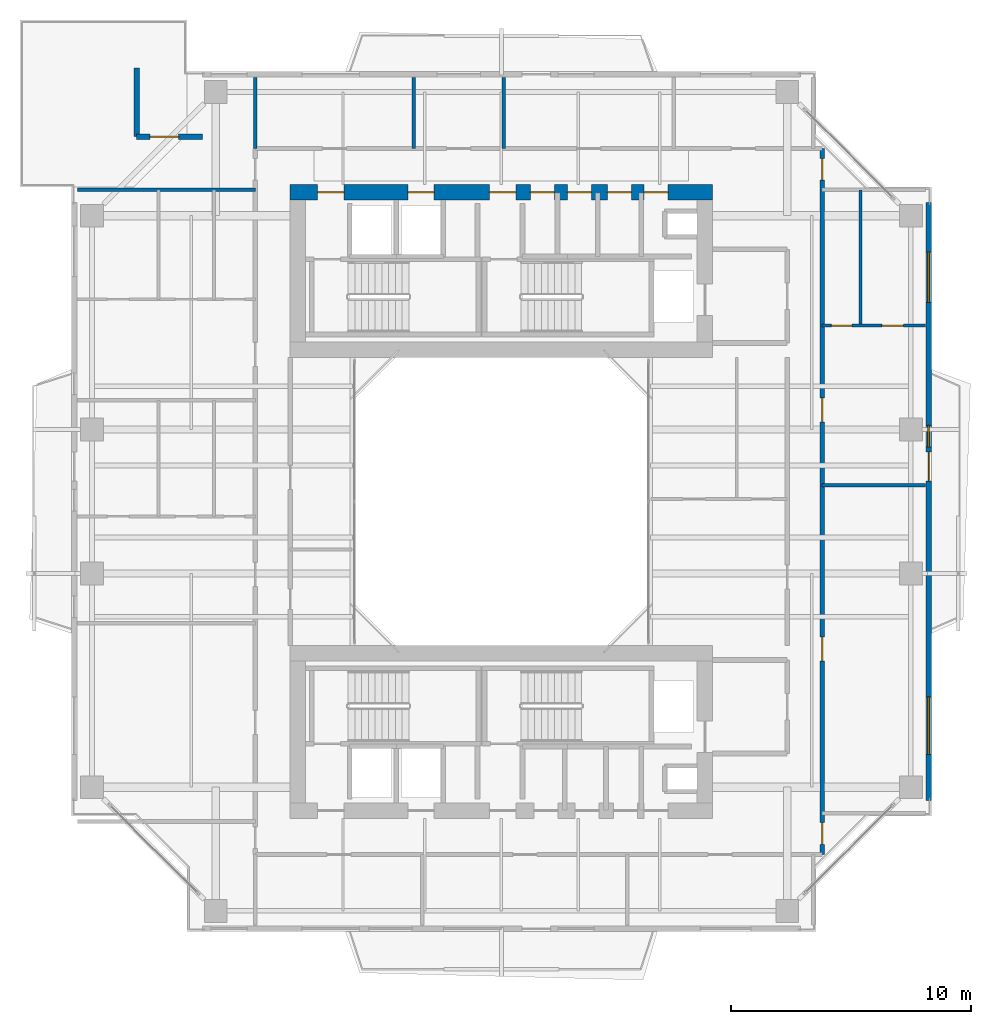
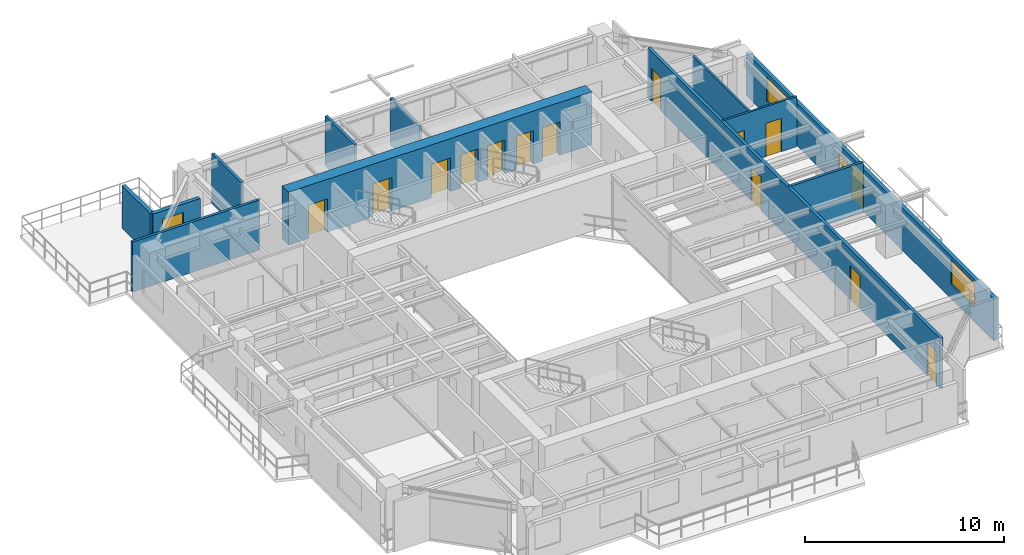
# One storey, part 13 of 17: 15 doors, 12 walls, 3 windows, 18 openings.
"""IFC4 building model written with IfcOpenShell, lengths in metres."""

import ifcopenshell
import ifcopenshell.guid

model = None  # the IFC model being written
_history = None  # IfcOwnerHistory: only IFC2X3 demands one
_inside = {}  # id of a spatial element -> (the spatial element, [elements in it])
_under = {}  # id of a project, library or spatial element -> (it, [spatial elements below it])
_declared = {}  # id of a project -> (the project, [libraries it declares])
_typed = {}  # id of a type object -> (the type object, [elements of that type])
_made_of = {}  # id of a material, layer set ... -> (it, [elements and type objects made of it])


def new_model(schema):
    """Start an empty IFC model of exactly this schema.

    Asked for "IFC4X3", IfcOpenShell would pick the latest addendum, in which some entities
    have other attributes; the version numbers below select the first issue.
    IFC2X3 requires an IfcOwnerHistory on every rooted entity: one is made here for all.
    """
    global model, _history
    if schema == "IFC4X3":
        model = ifcopenshell.file(schema_version=(4, 3, 0, 0))
    else:
        model = ifcopenshell.file(schema=schema)
    _inside.clear()
    _under.clear()
    _declared.clear()
    _typed.clear()
    _made_of.clear()
    _history = None
    if model.schema == "IFC2X3":
        org = make("IfcOrganization", Name="unknown")
        user = make(
            "IfcPersonAndOrganization",
            ThePerson=make("IfcPerson", FamilyName="unknown"),
            TheOrganization=org,
        )
        app = make(
            "IfcApplication",
            ApplicationDeveloper=org,
            Version="unknown",
            ApplicationFullName="unknown",
            ApplicationIdentifier="unknown",
        )
        _history = make(
            "IfcOwnerHistory",
            OwningUser=user,
            OwningApplication=app,
            ChangeAction="ADDED",
            CreationDate=0,
        )
    return model


def make(cls, **values):
    """One entity of the class cls with the attributes given. An attribute that is None is left unset."""
    return model.create_entity(
        cls, **{name: value for name, value in values.items() if value is not None}
    )


def rooted(cls, **values):
    """An entity with a GlobalId (a new one), such as an element, a storey or a relation."""
    return make(cls, GlobalId=ifcopenshell.guid.new(), OwnerHistory=_history, **values)


def si_unit(unit_type, name, prefix=None):
    """IfcSIUnit, for example si_unit("LENGTHUNIT", "METRE", prefix="MILLI")."""
    return make("IfcSIUnit", UnitType=unit_type, Prefix=prefix, Name=name)


def assignment(units):
    """IfcUnitAssignment: the units of a project."""
    return None if units is None else make("IfcUnitAssignment", Units=units)


def point(xyz):
    """IfcCartesianPoint."""
    return None if xyz is None else make("IfcCartesianPoint", Coordinates=xyz)


def direction(xyz):
    """IfcDirection."""
    return None if xyz is None else make("IfcDirection", DirectionRatios=xyz)


def frame(location, z_axis=None, x_axis=None):
    """IfcAxis2Placement3D, a coordinate frame: its origin and axes. An axis left out is left unset."""
    return make(
        "IfcAxis2Placement3D",
        Location=point(location),
        Axis=direction(z_axis),
        RefDirection=direction(x_axis),
    )


def frame_2d(location, x_axis=None):
    """IfcAxis2Placement2D, a coordinate frame in the plane: its origin and x axis."""
    return make(
        "IfcAxis2Placement2D", Location=point(location), RefDirection=direction(x_axis)
    )


def origin():
    """The frame at (0, 0, 0) with its axes left unset."""
    return frame((0.0, 0.0, 0.0))


def place(relative_to, where):
    """IfcLocalPlacement: puts the frame where relative to a parent placement (None: the world)."""
    return make(
        "IfcLocalPlacement", PlacementRelTo=relative_to, RelativePlacement=where
    )


def context(
    kind, dimensions, precision=None, world=None, true_north=None, identifier=None
):
    """IfcGeometricRepresentationContext, for example the 3D "Model" context."""
    return make(
        "IfcGeometricRepresentationContext",
        ContextIdentifier=identifier,
        ContextType=kind,
        CoordinateSpaceDimension=dimensions,
        Precision=precision,
        WorldCoordinateSystem=world,
        TrueNorth=true_north,
    )


def subcontext(parent, identifier, kind, view, scale=None):
    """IfcGeometricRepresentationSubContext, for example "Body" below "Model"."""
    return make(
        "IfcGeometricRepresentationSubContext",
        ContextIdentifier=identifier,
        ContextType=kind,
        ParentContext=parent,
        TargetScale=scale,
        TargetView=view,
    )


def project(units=None, contexts=None):
    """IfcProject with its units and contexts."""
    return rooted(
        "IfcProject",
        Name="project",
        RepresentationContexts=contexts,
        UnitsInContext=assignment(units),
    )


def spatial(cls, under=None, at=None, **own):
    """A site, building, storey or space (cls), placed at a placement, below another one or the project."""
    s = rooted(cls, ObjectPlacement=at, **own)
    if under is not None:
        _under.setdefault(under.id(), (under, []))[1].append(s)
    return s


def profile(cls, at=None, kind="AREA", **sizes):
    """A parametric profile (cls). Its sizes go by their IFC names, for example OverallWidth=200.0."""
    return make(cls, ProfileType=kind, Position=at, **sizes)


def rectangle(**sizes):
    """IfcRectangleProfileDef."""
    return profile("IfcRectangleProfileDef", **sizes)


def extrude(swept, where, along, depth):
    """IfcExtrudedAreaSolid: the profile swept, set in the frame where, extruded along a direction by depth."""
    return make(
        "IfcExtrudedAreaSolid",
        SweptArea=swept,
        Position=where,
        ExtrudedDirection=direction(along),
        Depth=depth,
    )


def shape(context_of_items, identifier, shape_type, items):
    """IfcShapeRepresentation: the items that make up one representation, for example the "Body"."""
    return make(
        "IfcShapeRepresentation",
        ContextOfItems=context_of_items,
        RepresentationIdentifier=identifier,
        RepresentationType=shape_type,
        Items=items,
    )


def source(mapping_origin, context_of_items, identifier, shape_type, items):
    """IfcRepresentationMap: a shape defined once, which mapped items show again and again."""
    return make(
        "IfcRepresentationMap",
        MappingOrigin=mapping_origin,
        MappedRepresentation=shape(context_of_items, identifier, shape_type, items),
    )


def transform(
    local_origin,
    x_axis=None,
    y_axis=None,
    z_axis=None,
    scale=None,
    scale2=None,
    scale3=None,
    uniform=True,
):
    """IfcCartesianTransformationOperator3D, or its non-uniform kind. x_axis, y_axis, z_axis: its Axis1, 2, 3."""
    if uniform:
        return make(
            "IfcCartesianTransformationOperator3D",
            Axis1=direction(x_axis),
            Axis2=direction(y_axis),
            LocalOrigin=point(local_origin),
            Scale=scale,
            Axis3=direction(z_axis),
        )
    return make(
        "IfcCartesianTransformationOperator3DnonUniform",
        Axis1=direction(x_axis),
        Axis2=direction(y_axis),
        LocalOrigin=point(local_origin),
        Scale=scale,
        Axis3=direction(z_axis),
        Scale2=scale2,
        Scale3=scale3,
    )


def mapped(mapping_source, mapping_target):
    """IfcMappedItem: shows the shape of a source again, moved by a transform."""
    return make(
        "IfcMappedItem", MappingSource=mapping_source, MappingTarget=mapping_target
    )


def material(Name=None, Category=None):
    """IfcMaterial."""
    return make("IfcMaterial", Name=Name, Category=Category)


def layer(
    of_material, thickness, ventilated=None, Name=None, Category=None, Priority=None
):
    """IfcMaterialLayer: one layer of a wall or slab, of a material (None: an air gap)."""
    return make(
        "IfcMaterialLayer",
        Material=of_material,
        LayerThickness=thickness,
        IsVentilated=ventilated,
        Name=Name,
        Category=Category,
        Priority=Priority,
    )


def layer_set(layers, Name=None):
    """IfcMaterialLayerSet."""
    return make("IfcMaterialLayerSet", MaterialLayers=layers, LayerSetName=Name)


def made_of(thing, what):
    """Note that an element or type object is made of a material, layer set ...; save() writes the relation."""
    if what is not None:
        _made_of.setdefault(what.id(), (what, []))[1].append(thing)
    return thing


def type_object(cls, material=None, **own):
    """A type object (cls), such as IfcWallType, which elements share."""
    return made_of(rooted(cls, **own), material)


def element(
    cls,
    number,
    at=None,
    inside=None,
    cuts=None,
    type_object=None,
    material=None,
    context=None,
    identifier="Body",
    shape_type=None,
    held_by="IfcProductDefinitionShape",
    body=None,
    shapes=None,
    **own,
):
    """One element of the class cls, such as IfcWall. Its Tag is "e" and its number.

    at: its placement. inside: the storey or other place that contains it. cuts: it is an
    opening in that element (IfcRelVoidsElement). A single representation is given by context,
    identifier, shape_type and body (its items); several are given by shapes. held_by: the class
    of the entity that holds the representations. save() writes the other relations.
    """
    e = rooted(cls, Tag="e%d" % number, ObjectPlacement=at, **own)
    if body is not None:
        shapes = [shape(context, identifier, shape_type, body)]
    if shapes is not None:
        e.Representation = make(held_by, Representations=shapes)
    if inside is not None:
        _inside.setdefault(inside.id(), (inside, []))[1].append(e)
    if cuts is not None:
        rooted(
            "IfcRelVoidsElement", RelatingBuildingElement=cuts, RelatedOpeningElement=e
        )
    if type_object is not None:
        _typed.setdefault(type_object.id(), (type_object, []))[1].append(e)
    return made_of(e, material)


def fill(opening, filler):
    """IfcRelFillsElement: the door or window that sits in an opening."""
    return rooted(
        "IfcRelFillsElement",
        RelatingOpeningElement=opening,
        RelatedBuildingElement=filler,
    )


def aggregate(whole, parts):
    """IfcRelAggregates: a whole, such as a stair, and the parts it consists of."""
    return rooted("IfcRelAggregates", RelatingObject=whole, RelatedObjects=parts)


def save(model, path):
    """Write the relations noted so far, then the file.

    IfcRelAggregates (storeys below a building ...), IfcRelContainedInSpatialStructure (elements
    in a storey), IfcRelDefinesByType, IfcRelAssociatesMaterial and IfcRelDeclares: one each for
    every whole, place, type object, material and project.
    """
    for whole, parts in _under.values():
        aggregate(whole, parts)
    for where, things in _inside.values():
        rooted(
            "IfcRelContainedInSpatialStructure",
            RelatedElements=things,
            RelatingStructure=where,
        )
    for kind, things in _typed.values():
        rooted("IfcRelDefinesByType", RelatedObjects=things, RelatingType=kind)
    for what, things in _made_of.values():
        rooted("IfcRelAssociatesMaterial", RelatedObjects=things, RelatingMaterial=what)
    for by, libraries in _declared.values():
        rooted("IfcRelDeclares", RelatingContext=by, RelatedDefinitions=libraries)
    model.write(path)


model = new_model("IFC4")

# Units and contexts
model_context = context("Model", 3, precision=1e-05, world=origin(), true_north=direction((0.0, 1.0)))
body_context = subcontext(model_context, "Body", "Model", "MODEL_VIEW")
ifc_project = project(units=[si_unit("LENGTHUNIT", "METRE"), si_unit("AREAUNIT", "SQUARE_METRE"), si_unit("VOLUMEUNIT", "CUBIC_METRE"), si_unit("PLANEANGLEUNIT", "RADIAN"), si_unit("MASSUNIT", "GRAM", prefix="KILO"), si_unit("THERMODYNAMICTEMPERATUREUNIT", "KELVIN"), si_unit("POWERUNIT", "WATT")], contexts=[model_context])

# Site, building, storey
site_placement = place(None, origin())
site = spatial("IfcSite", under=ifc_project, at=site_placement, CompositionType="ELEMENT")
building_placement = place(site_placement, origin())
building = spatial("IfcBuilding", under=site, at=building_placement, Name="Qiaomeng Ring Towers", CompositionType="ELEMENT")
storey_placement = place(building_placement, frame((0.0, 0.0, 143.75)))
storey = spatial("IfcBuildingStorey", under=building, at=storey_placement, Name="L41", CompositionType="ELEMENT", Elevation=143.75)

# Wall, openings, windows, door
ifc_material_1 = material(Name="Precast concrete C40", Category="concrete")
ifc_layer_1 = layer(ifc_material_1, 0.219970703125, Name="Precast concrete C40")
ifc_layer_set_1 = layer_set([ifc_layer_1], Name="Precast concrete C40")
wall_type_1 = type_object("IfcWallType", Name="ARC-WL-EW2", PredefinedType="STANDARD", material=ifc_layer_set_1)
wall_1_placement = place(storey_placement, frame((36.7900390625, 10.550048828125, 0.0), z_axis=(0.0, 0.0, 1.0), x_axis=(0.0, 1.0, 0.0)))
wall_1 = element("IfcWall", 1, at=wall_1_placement, inside=storey, type_object=wall_type_1, Name="L41 Tower 1 E Exterior Wall", PredefinedType="STANDARD", context=body_context, shape_type="SweptSolid", body=[
    extrude(rectangle(XDim=24.89990234375, YDim=0.219970703125, at=frame_2d((12.449951171875, 0.0))), origin(), (0.0, 0.0, 1.0), 2.610107421875),
])
opening_1_placement = place(wall_1_placement, frame((13.300048828125, 0.0, 0.0)))
opening_1 = element("IfcOpeningElement", 2, at=opening_1_placement, cuts=wall_1, Name="Opening BD1", PredefinedType="OPENING", context=body_context, shape_type="SweptSolid", body=[
    extrude(rectangle(XDim=1.199951171875, YDim=2.10009765625, at=frame_2d((0.60009765625, 1.050048828125))), frame((0.0, 0.119873046875, 0.0), z_axis=(0.0, -1.0, 0.0), x_axis=(1.0, 0.0, 0.0)), (0.0, 0.0, 1.0), 0.239990234375),
])
opening_2_placement = place(wall_1_placement, frame((1.912109375, 0.0, 0.89990234375)))
opening_2 = element("IfcOpeningElement", 3, at=opening_2_placement, cuts=wall_1, Name="Opening WN6", PredefinedType="OPENING", context=body_context, shape_type="SweptSolid", body=[
    extrude(rectangle(XDim=2.39990234375, YDim=1.47998046875, at=frame_2d((1.199951171875, 0.739990234375))), frame((0.0, 0.119873046875, 0.0), z_axis=(0.0, -1.0, 0.0), x_axis=(1.0, 0.0, 0.0)), (0.0, 0.0, 1.0), 0.239990234375),
])
opening_3_placement = place(wall_1_placement, frame((20.737060546875, 0.0, 0.89990234375)))
opening_3 = element("IfcOpeningElement", 4, at=opening_3_placement, cuts=wall_1, Name="Opening WN4", PredefinedType="OPENING", context=body_context, shape_type="SweptSolid", body=[
    extrude(rectangle(XDim=2.10009765625, YDim=1.47998046875, at=frame_2d((1.050048828125, 0.739990234375))), frame((0.0, 0.119873046875, 0.0), z_axis=(0.0, -1.0, 0.0), x_axis=(1.0, 0.0, 0.0)), (0.0, 0.0, 1.0), 0.239990234375),
])
opening_4_placement = place(wall_1_placement, frame((14.719970703125, 0.0, 0.89990234375)))
opening_4 = element("IfcOpeningElement", 5, at=opening_4_placement, cuts=wall_1, Name="Opening WN5", PredefinedType="OPENING", context=body_context, shape_type="SweptSolid", body=[
    extrude(rectangle(XDim=0.89990234375, YDim=1.199951171875, at=frame_2d((0.449951171875, 0.60009765625))), frame((0.0, 0.119873046875, 0.0), z_axis=(0.0, -1.0, 0.0), x_axis=(1.0, 0.0, 0.0)), (0.0, 0.0, 1.0), 0.239990234375),
])
ifc_material_2 = material(Name="Low-E dark-grey laminated double glazing", Category="glass")
window_type_1 = type_object("IfcWindowType", Name="ARC-WN-4", PartitioningType="TRIPLE_PANEL_VERTICAL", PredefinedType="WINDOW", material=ifc_material_2)
shared_shape_1 = source(origin(), body_context, "Body", "SweptSolid", [
    extrude(rectangle(XDim=2.10009765625, YDim=1.47998046875, at=frame_2d((1.050048828125, 0.739990234375))), frame((0.0, 0.030029296875, 0.0), z_axis=(0.0, -1.0, 0.0), x_axis=(1.0, 0.0, 0.0)), (0.0, 0.0, 1.0), 0.06005859375),
])
window_1_placement = place(opening_3_placement, origin())
window_1 = element("IfcWindow", 6, at=window_1_placement, inside=storey, type_object=window_type_1, Name="L41 Exterior Window WN4", OverallHeight=1.47998046875, OverallWidth=2.10009765625, PartitioningType="TRIPLE_PANEL_VERTICAL", PredefinedType="WINDOW", context=body_context, shape_type="MappedRepresentation", body=[
    mapped(shared_shape_1, transform((0.0, 0.0, 0.0), x_axis=(1.0, 0.0, 0.0), y_axis=(0.0, 1.0, 0.0), z_axis=(0.0, 0.0, 1.0), scale=1.0)),
])
fill(opening_3, window_1)
window_type_2 = type_object("IfcWindowType", Name="ARC-WN-6", PartitioningType="TRIPLE_PANEL_VERTICAL", PredefinedType="WINDOW", material=ifc_material_2)
shared_shape_2 = source(origin(), body_context, "Body", "SweptSolid", [
    extrude(rectangle(XDim=2.39990234375, YDim=1.47998046875, at=frame_2d((1.199951171875, 0.739990234375))), frame((0.0, 0.030029296875, 0.0), z_axis=(0.0, -1.0, 0.0), x_axis=(1.0, 0.0, 0.0)), (0.0, 0.0, 1.0), 0.06005859375),
])
window_2_placement = place(opening_2_placement, origin())
window_2 = element("IfcWindow", 7, at=window_2_placement, inside=storey, type_object=window_type_2, Name="L41 Exterior Window WN6", OverallHeight=1.47998046875, OverallWidth=2.39990234375, PartitioningType="TRIPLE_PANEL_VERTICAL", PredefinedType="WINDOW", context=body_context, shape_type="MappedRepresentation", body=[
    mapped(shared_shape_2, transform((0.0, 0.0, 0.0), x_axis=(1.0, 0.0, 0.0), y_axis=(0.0, 1.0, 0.0), z_axis=(0.0, 0.0, 1.0), scale=1.0)),
])
fill(opening_2, window_2)
door_type_1 = type_object("IfcDoorType", Name="ARC-DR-BD1", OperationType="NOTDEFINED", PredefinedType="DOOR", material=ifc_material_2)
shared_shape_3 = source(origin(), body_context, "Body", "SweptSolid", [
    extrude(rectangle(XDim=1.199951171875, YDim=2.10009765625, at=frame_2d((0.60009765625, 1.050048828125))), frame((0.0, 0.02490234375, 0.0), z_axis=(0.0, -1.0, 0.0), x_axis=(1.0, 0.0, 0.0)), (0.0, 0.0, 1.0), 0.050048828125),
])
door_1_placement = place(opening_1_placement, origin())
door_1 = element("IfcDoor", 8, at=door_1_placement, inside=storey, type_object=door_type_1, Name="L41 E Balcony Glazed Door", OperationType="SINGLE_SWING_LEFT", OverallHeight=2.10009765625, OverallWidth=1.199951171875, PredefinedType="DOOR", context=body_context, shape_type="MappedRepresentation", body=[
    mapped(shared_shape_3, transform((0.0, 0.0, 0.0), x_axis=(1.0, 0.0, 0.0), y_axis=(0.0, 1.0, 0.0), z_axis=(0.0, 0.0, 1.0), scale=1.0)),
])
fill(opening_1, door_1)
window_type_3 = type_object("IfcWindowType", Name="ARC-WN-5", PartitioningType="SINGLE_PANEL", PredefinedType="WINDOW", material=ifc_material_2)
shared_shape_4 = source(origin(), body_context, "Body", "SweptSolid", [
    extrude(rectangle(XDim=0.89990234375, YDim=1.199951171875, at=frame_2d((0.449951171875, 0.60009765625))), frame((0.0, 0.030029296875, 0.0), z_axis=(0.0, -1.0, 0.0), x_axis=(1.0, 0.0, 0.0)), (0.0, 0.0, 1.0), 0.06005859375),
])
window_3_placement = place(opening_4_placement, origin())
window_3 = element("IfcWindow", 9, at=window_3_placement, inside=storey, type_object=window_type_3, Name="L41 Exterior Window WN5", OverallHeight=1.199951171875, OverallWidth=0.89990234375, PartitioningType="SINGLE_PANEL", PredefinedType="WINDOW", context=body_context, shape_type="MappedRepresentation", body=[
    mapped(shared_shape_4, transform((0.0, 0.0, 0.0), x_axis=(1.0, 0.0, 0.0), y_axis=(0.0, 1.0, 0.0), z_axis=(0.0, 0.0, 1.0), scale=1.0)),
])
fill(opening_4, window_3)

# Wall, opening, door
wall_2_placement = place(storey_placement, frame((3.81005859375, 38.18994140625, 0.0), z_axis=(0.0, 0.0, 1.0), x_axis=(1.0, 0.0, 0.0)))
wall_2 = element("IfcWall", 10, at=wall_2_placement, inside=storey, type_object=wall_type_1, Name="L41 Spiral Terrace Wall NW", PredefinedType="STANDARD", context=body_context, shape_type="SweptSolid", body=[
    extrude(rectangle(XDim=2.739990234375, YDim=0.219970703125, at=frame_2d((1.3701171875, 0.0))), origin(), (0.0, 0.0, 1.0), 2.610107421875),
])
opening_5_placement = place(wall_2_placement, frame((0.550048828125, 0.0, 0.0)))
opening_5 = element("IfcOpeningElement", 11, at=opening_5_placement, cuts=wall_2, Name="Opening BD1", PredefinedType="OPENING", context=body_context, shape_type="SweptSolid", body=[
    extrude(rectangle(XDim=1.199951171875, YDim=2.10009765625, at=frame_2d((0.60009765625, 1.050048828125))), frame((0.0, 0.119873046875, 0.0), z_axis=(0.0, -1.0, 0.0), x_axis=(1.0, 0.0, 0.0)), (0.0, 0.0, 1.0), 0.239990234375),
])
door_2_placement = place(opening_5_placement, frame((1.199951171875, 0.0, 0.0), z_axis=(0.0, 0.0, 1.0), x_axis=(-1.0, 0.0, 0.0)))
door_2 = element("IfcDoor", 12, at=door_2_placement, inside=storey, type_object=door_type_1, Name="L41 Spiral Sky Terrace Door NW", OperationType="SINGLE_SWING_LEFT", OverallHeight=2.10009765625, OverallWidth=1.199951171875, PredefinedType="DOOR", context=body_context, shape_type="MappedRepresentation", body=[
    mapped(shared_shape_3, transform((0.0, 0.0, 0.0), x_axis=(1.0, 0.0, 0.0), y_axis=(0.0, 1.0, 0.0), z_axis=(0.0, 0.0, 1.0), scale=1.0)),
])
fill(opening_5, door_2)

# Wall
wall_3_placement = place(storey_placement, frame((3.81005859375, 38.18994140625, 0.0), z_axis=(0.0, 0.0, 1.0), x_axis=(0.0, 1.0, 0.0)))
element("IfcWall", 13, at=wall_3_placement, inside=storey, type_object=wall_type_1, Name="L41 Spiral Terrace Return Wall NW", PredefinedType="STANDARD", context=body_context, shape_type="SweptSolid", body=[
    extrude(rectangle(XDim=2.860107421875, YDim=0.219970703125, at=frame_2d((1.43017578125, 0.0))), origin(), (0.0, 0.0, 1.0), 2.610107421875),
])

# Wall, openings, doors
ifc_material_3 = material(Name="Autoclaved aerated concrete block", Category="concrete")
ifc_layer_2 = layer(ifc_material_3, 0.179931640625, Name="Autoclaved aerated concrete block")
ifc_layer_set_2 = layer_set([ifc_layer_2], Name="Autoclaved aerated concrete block")
wall_type_2 = type_object("IfcWallType", Name="ARC-WL-PW2", PredefinedType="PARTITIONING", material=ifc_layer_set_2)
wall_4_placement = place(storey_placement, frame((32.360107421875, 8.300048828125, 0.0), z_axis=(0.0, 0.0, 1.0), x_axis=(0.0, 1.0, 0.0)))
wall_4 = element("IfcWall", 14, at=wall_4_placement, inside=storey, type_object=wall_type_2, Name="L41 Interior Wall PW2", PredefinedType="PARTITIONING", context=body_context, shape_type="SweptSolid", body=[
    extrude(rectangle(XDim=29.39990234375, YDim=0.179931640625, at=frame_2d((14.699951171875, 0.0))), origin(), (0.0, 0.0, 1.0), 3.070068359375),
])
opening_6_placement = place(wall_4_placement, frame((28.080078125, 0.0, 0.0)))
opening_6 = element("IfcOpeningElement", 15, at=opening_6_placement, cuts=wall_4, Name="Opening ID1", PredefinedType="OPENING", context=body_context, shape_type="SweptSolid", body=[
    extrude(rectangle(XDim=0.89990234375, YDim=2.050048828125, at=frame_2d((0.449951171875, 1.02490234375))), frame((0.0, 0.099853515625, 0.0), z_axis=(0.0, -1.0, 0.0), x_axis=(1.0, 0.0, 0.0)), (0.0, 0.0, 1.0), 0.199951171875),
])
opening_7_placement = place(wall_4_placement, frame((0.419921875, 0.0, 0.0)))
opening_7 = element("IfcOpeningElement", 16, at=opening_7_placement, cuts=wall_4, Name="Opening ID1", PredefinedType="OPENING", context=body_context, shape_type="SweptSolid", body=[
    extrude(rectangle(XDim=0.89990234375, YDim=2.050048828125, at=frame_2d((0.449951171875, 1.02490234375))), frame((0.0, 0.099853515625, 0.0), z_axis=(0.0, -1.0, 0.0), x_axis=(1.0, 0.0, 0.0)), (0.0, 0.0, 1.0), 0.199951171875),
])
opening_8_placement = place(wall_4_placement, frame((8.050048828125, 0.0, 0.0)))
opening_8 = element("IfcOpeningElement", 17, at=opening_8_placement, cuts=wall_4, Name="Opening FD4", PredefinedType="OPENING", context=body_context, shape_type="SweptSolid", body=[
    extrude(rectangle(XDim=1.0, YDim=2.050048828125, at=frame_2d((0.5, 1.02490234375))), frame((0.0, 0.099853515625, 0.0), z_axis=(0.0, -1.0, 0.0), x_axis=(1.0, 0.0, 0.0)), (0.0, 0.0, 1.0), 0.199951171875),
])
opening_9_placement = place(wall_4_placement, frame((18.010009765625, 0.0, 0.0)))
opening_9 = element("IfcOpeningElement", 18, at=opening_9_placement, cuts=wall_4, Name="Opening FD4", PredefinedType="OPENING", context=body_context, shape_type="SweptSolid", body=[
    extrude(rectangle(XDim=1.0, YDim=2.050048828125, at=frame_2d((0.5, 1.02490234375))), frame((0.0, 0.099853515625, 0.0), z_axis=(0.0, -1.0, 0.0), x_axis=(1.0, 0.0, 0.0)), (0.0, 0.0, 1.0), 0.199951171875),
])
ifc_material_4 = material(Name="Engineered fire-rated oak timber", Category="wood")
door_type_2 = type_object("IfcDoorType", Name="ARC-DR-FD4", OperationType="NOTDEFINED", PredefinedType="DOOR", material=ifc_material_4)
shared_shape_5 = source(origin(), body_context, "Body", "SweptSolid", [
    extrude(rectangle(XDim=1.0, YDim=2.050048828125, at=frame_2d((0.5, 1.02490234375))), frame((0.0, 0.02490234375, 0.0), z_axis=(0.0, -1.0, 0.0), x_axis=(1.0, 0.0, 0.0)), (0.0, 0.0, 1.0), 0.050048828125),
])
door_3_placement = place(opening_8_placement, origin())
door_3 = element("IfcDoor", 19, at=door_3_placement, inside=storey, type_object=door_type_2, Name="L41 Door FD4", OperationType="SINGLE_SWING_LEFT", OverallHeight=2.050048828125, OverallWidth=1.0, PredefinedType="DOOR", context=body_context, shape_type="MappedRepresentation", body=[
    mapped(shared_shape_5, transform((0.0, 0.0, 0.0), x_axis=(1.0, 0.0, 0.0), y_axis=(0.0, 1.0, 0.0), z_axis=(0.0, 0.0, 1.0), scale=1.0)),
])
fill(opening_8, door_3)
door_4_placement = place(opening_9_placement, origin())
door_4 = element("IfcDoor", 20, at=door_4_placement, inside=storey, type_object=door_type_2, Name="L41 Door FD4", OperationType="SINGLE_SWING_RIGHT", OverallHeight=2.050048828125, OverallWidth=1.0, PredefinedType="DOOR", context=body_context, shape_type="MappedRepresentation", body=[
    mapped(shared_shape_5, transform((0.0, 0.0, 0.0), x_axis=(1.0, 0.0, 0.0), y_axis=(0.0, 1.0, 0.0), z_axis=(0.0, 0.0, 1.0), scale=1.0)),
])
fill(opening_9, door_4)
ifc_material_5 = material(Name="Engineered oak timber", Category="wood")
door_type_3 = type_object("IfcDoorType", Name="ARC-DR-ID1", OperationType="NOTDEFINED", PredefinedType="DOOR", material=ifc_material_5)
shared_shape_6 = source(origin(), body_context, "Body", "SweptSolid", [
    extrude(rectangle(XDim=0.89990234375, YDim=2.050048828125, at=frame_2d((0.449951171875, 1.02490234375))), frame((0.0, 0.02490234375, 0.0), z_axis=(0.0, -1.0, 0.0), x_axis=(1.0, 0.0, 0.0)), (0.0, 0.0, 1.0), 0.050048828125),
])
door_5_placement = place(opening_6_placement, origin())
door_5 = element("IfcDoor", 21, at=door_5_placement, inside=storey, type_object=door_type_3, Name="L41 Door ID1", OperationType="SINGLE_SWING_LEFT", OverallHeight=2.050048828125, OverallWidth=0.89990234375, PredefinedType="DOOR", context=body_context, shape_type="MappedRepresentation", body=[
    mapped(shared_shape_6, transform((0.0, 0.0, 0.0), x_axis=(1.0, 0.0, 0.0), y_axis=(0.0, 1.0, 0.0), z_axis=(0.0, 0.0, 1.0), scale=1.0)),
])
fill(opening_6, door_5)
door_6_placement = place(opening_7_placement, origin())
door_6 = element("IfcDoor", 22, at=door_6_placement, inside=storey, type_object=door_type_3, Name="L41 Door ID1", OperationType="SINGLE_SWING_RIGHT", OverallHeight=2.050048828125, OverallWidth=0.89990234375, PredefinedType="DOOR", context=body_context, shape_type="MappedRepresentation", body=[
    mapped(shared_shape_6, transform((0.0, 0.0, 0.0), x_axis=(1.0, 0.0, 0.0), y_axis=(0.0, 1.0, 0.0), z_axis=(0.0, 0.0, 1.0), scale=1.0)),
])
fill(opening_7, door_6)

# Walls
ifc_material_6 = material(Name="Gypsum fireboard steel-stud partition", Category="steel")
ifc_layer_3 = layer(ifc_material_6, 0.14990234375, Name="Gypsum fireboard steel-stud partition")
ifc_layer_set_3 = layer_set([ifc_layer_3], Name="Gypsum fireboard steel-stud partition")
wall_type_3 = type_object("IfcWallType", Name="ARC-WL-PW3", PredefinedType="PARTITIONING", material=ifc_layer_set_3)
wall_5_placement = place(storey_placement, frame((15.340087890625, 37.699951171875, 0.0), z_axis=(0.0, 0.0, 1.0), x_axis=(0.0, 1.0, 0.0)))
element("IfcWall", 23, at=wall_5_placement, inside=storey, type_object=wall_type_3, Name="L41 Interior Wall PW3", PredefinedType="PARTITIONING", context=body_context, shape_type="SweptSolid", body=[
    extrude(rectangle(XDim=2.949951171875, YDim=0.14990234375, at=frame_2d((1.47509765625, 0.0))), origin(), (0.0, 0.0, 1.0), 3.070068359375),
])
wall_6_placement = place(storey_placement, frame((19.10009765625, 37.699951171875, 0.0), z_axis=(0.0, 0.0, 1.0), x_axis=(0.0, 1.0, 0.0)))
element("IfcWall", 24, at=wall_6_placement, inside=storey, type_object=wall_type_3, Name="L41 Interior Wall PW3", PredefinedType="PARTITIONING", context=body_context, shape_type="SweptSolid", body=[
    extrude(rectangle(XDim=2.949951171875, YDim=0.14990234375, at=frame_2d((1.47509765625, 0.0))), origin(), (0.0, 0.0, 1.0), 2.864990234375),
])
wall_7_placement = place(storey_placement, frame((8.75, 37.699951171875, 0.0), z_axis=(0.0, 0.0, 1.0), x_axis=(0.0, 1.0, 0.0)))
element("IfcWall", 25, at=wall_7_placement, inside=storey, type_object=wall_type_3, Name="L41 Interior Wall PW3", PredefinedType="PARTITIONING", context=body_context, shape_type="SweptSolid", body=[
    extrude(rectangle(XDim=2.949951171875, YDim=0.14990234375, at=frame_2d((1.47509765625, 0.0))), origin(), (0.0, 0.0, 1.0), 3.070068359375),
])
wall_8_placement = place(storey_placement, frame((1.35009765625, 35.97998046875, 0.0), z_axis=(0.0, 0.0, 1.0), x_axis=(1.0, 0.0, 0.0)))
element("IfcWall", 26, at=wall_8_placement, inside=storey, type_object=wall_type_3, Name="L41 Interior Wall PW3", PredefinedType="PARTITIONING", context=body_context, shape_type="SweptSolid", body=[
    extrude(rectangle(XDim=7.39990234375, YDim=0.14990234375, at=frame_2d((3.699951171875, 0.0))), origin(), (0.0, 0.0, 1.0), 3.070068359375),
])
wall_9_placement = place(storey_placement, frame((32.360107421875, 23.679931640625, 0.0), z_axis=(0.0, 0.0, 1.0), x_axis=(1.0, 0.0, 0.0)))
element("IfcWall", 27, at=wall_9_placement, inside=storey, type_object=wall_type_3, Name="L41 Interior Wall PW3", PredefinedType="PARTITIONING", context=body_context, shape_type="SweptSolid", body=[
    extrude(rectangle(XDim=4.289794921875, YDim=0.14990234375, at=frame_2d((2.14501953125, 0.0))), origin(), (0.0, 0.0, 1.0), 3.070068359375),
])

# Wall, openings, doors
ifc_material_7 = material(Name="Moisture-resistant gypsum steel-stud partition", Category="steel")
ifc_layer_4 = layer(ifc_material_7, 0.1201171875, Name="Moisture-resistant gypsum steel-stud partition")
ifc_layer_set_4 = layer_set([ifc_layer_4], Name="Moisture-resistant gypsum steel-stud partition")
wall_type_4 = type_object("IfcWallType", Name="ARC-WL-PW4", PredefinedType="PLUMBINGWALL", material=ifc_layer_set_4)
wall_10_placement = place(storey_placement, frame((32.360107421875, 30.320068359375, 0.0), z_axis=(0.0, 0.0, 1.0), x_axis=(1.0, 0.0, 0.0)))
wall_10 = element("IfcWall", 28, at=wall_10_placement, inside=storey, type_object=wall_type_4, Name="L41 Interior Wall PW4", PredefinedType="PLUMBINGWALL", context=body_context, shape_type="SweptSolid", body=[
    extrude(rectangle(XDim=4.289794921875, YDim=0.1201171875, at=frame_2d((2.14501953125, 0.0))), origin(), (0.0, 0.0, 1.0), 3.070068359375),
])
opening_10_placement = place(wall_10_placement, frame((0.3798828125, 0.0, 0.0)))
opening_10 = element("IfcOpeningElement", 29, at=opening_10_placement, cuts=wall_10, Name="Opening ID2", PredefinedType="OPENING", context=body_context, shape_type="SweptSolid", body=[
    extrude(rectangle(XDim=0.85009765625, YDim=2.050048828125, at=frame_2d((0.425048828125, 1.02490234375))), frame((0.0, 0.070068359375, 0.0), z_axis=(0.0, -1.0, 0.0), x_axis=(1.0, 0.0, 0.0)), (0.0, 0.0, 1.0), 0.14013671875),
])
opening_11_placement = place(wall_10_placement, frame((2.47998046875, 0.0, 0.0)))
opening_11 = element("IfcOpeningElement", 30, at=opening_11_placement, cuts=wall_10, Name="Opening ID1", PredefinedType="OPENING", context=body_context, shape_type="SweptSolid", body=[
    extrude(rectangle(XDim=0.89990234375, YDim=2.050048828125, at=frame_2d((0.449951171875, 1.02490234375))), frame((0.0, 0.070068359375, 0.0), z_axis=(0.0, -1.0, 0.0), x_axis=(1.0, 0.0, 0.0)), (0.0, 0.0, 1.0), 0.14013671875),
])
ifc_material_8 = material(Name="Moisture-resistant engineered timber", Category="wood")
door_type_4 = type_object("IfcDoorType", Name="ARC-DR-ID2", OperationType="NOTDEFINED", PredefinedType="DOOR", material=ifc_material_8)
shared_shape_7 = source(origin(), body_context, "Body", "SweptSolid", [
    extrude(rectangle(XDim=0.85009765625, YDim=2.050048828125, at=frame_2d((0.425048828125, 1.02490234375))), frame((0.0, 0.02490234375, 0.0), z_axis=(0.0, -1.0, 0.0), x_axis=(1.0, 0.0, 0.0)), (0.0, 0.0, 1.0), 0.050048828125),
])
door_7_placement = place(opening_10_placement, origin())
door_7 = element("IfcDoor", 31, at=door_7_placement, inside=storey, type_object=door_type_4, Name="L41 Door ID2", OperationType="SINGLE_SWING_RIGHT", OverallHeight=2.050048828125, OverallWidth=0.85009765625, PredefinedType="DOOR", context=body_context, shape_type="MappedRepresentation", body=[
    mapped(shared_shape_7, transform((0.0, 0.0, 0.0), x_axis=(1.0, 0.0, 0.0), y_axis=(0.0, 1.0, 0.0), z_axis=(0.0, 0.0, 1.0), scale=1.0)),
])
fill(opening_10, door_7)
door_8_placement = place(opening_11_placement, origin())
door_8 = element("IfcDoor", 32, at=door_8_placement, inside=storey, type_object=door_type_3, Name="L41 Door ID1", OperationType="SINGLE_SWING_LEFT", OverallHeight=2.050048828125, OverallWidth=0.89990234375, PredefinedType="DOOR", context=body_context, shape_type="MappedRepresentation", body=[
    mapped(shared_shape_6, transform((0.0, 0.0, 0.0), x_axis=(1.0, 0.0, 0.0), y_axis=(0.0, 1.0, 0.0), z_axis=(0.0, 0.0, 1.0), scale=1.0)),
])
fill(opening_11, door_8)

# Wall
wall_11_placement = place(storey_placement, frame((33.949951171875, 30.320068359375, 0.0), z_axis=(0.0, 0.0, 1.0), x_axis=(0.0, 1.0, 0.0)))
element("IfcWall", 33, at=wall_11_placement, inside=storey, type_object=wall_type_4, Name="L41 Interior Wall PW4", PredefinedType="PLUMBINGWALL", context=body_context, shape_type="SweptSolid", body=[
    extrude(rectangle(XDim=5.659912109375, YDim=0.1201171875, at=frame_2d((2.830078125, 0.0))), origin(), (0.0, 0.0, 1.0), 3.070068359375),
])

# Wall, openings, doors
ifc_material_9 = material(Name="Concrete C50", Category="concrete")
ifc_layer_5 = layer(ifc_material_9, 0.64990234375, Name="Concrete C50")
ifc_layer_set_5 = layer_set([ifc_layer_5], Name="Concrete C50")
wall_type_5 = type_object("IfcWallType", Name="STR-WL-SW2B", PredefinedType="SHEAR", material=ifc_layer_set_5)
wall_12_placement = place(storey_placement, frame((10.199951171875, 35.875, 0.0), z_axis=(0.0, 0.0, 1.0), x_axis=(1.0, 0.0, 0.0)))
wall_12 = element("IfcWall", 34, at=wall_12_placement, inside=storey, type_object=wall_type_5, Name="L41 T1NC north core shear wall", PredefinedType="SHEAR", context=body_context, shape_type="SweptSolid", body=[
    extrude(rectangle(XDim=17.60009765625, YDim=0.64990234375, at=frame_2d((8.800048828125, 0.0))), origin(), (0.0, 0.0, 1.0), 3.25),
])
opening_12_placement = place(wall_12_placement, frame((1.14990234375, 0.0, 0.0)))
opening_12 = element("IfcOpeningElement", 35, at=opening_12_placement, cuts=wall_12, Name="Opening FD3", PredefinedType="OPENING", context=body_context, shape_type="SweptSolid", body=[
    extrude(rectangle(XDim=1.10009765625, YDim=2.050048828125, at=frame_2d((0.550048828125, 1.02490234375))), frame((0.0, 0.3349609375, 0.0), z_axis=(0.0, -1.0, 0.0), x_axis=(1.0, 0.0, 0.0)), (0.0, 0.0, 1.0), 0.669921875),
])
opening_13_placement = place(wall_12_placement, frame((8.300048828125, 0.0, 0.0)))
opening_13 = element("IfcOpeningElement", 36, at=opening_13_placement, cuts=wall_12, Name="Opening FD3", PredefinedType="OPENING", context=body_context, shape_type="SweptSolid", body=[
    extrude(rectangle(XDim=1.10009765625, YDim=2.050048828125, at=frame_2d((0.550048828125, 1.02490234375))), frame((0.0, 0.3349609375, 0.0), z_axis=(0.0, -1.0, 0.0), x_axis=(1.0, 0.0, 0.0)), (0.0, 0.0, 1.0), 0.669921875),
])
opening_14_placement = place(wall_12_placement, frame((4.89990234375, 0.0, 0.0)))
opening_14 = element("IfcOpeningElement", 37, at=opening_14_placement, cuts=wall_12, Name="Opening LD1", PredefinedType="OPENING", context=body_context, shape_type="SweptSolid", body=[
    extrude(rectangle(XDim=1.10009765625, YDim=2.050048828125, at=frame_2d((0.550048828125, 1.02490234375))), frame((0.0, 0.3349609375, 0.0), z_axis=(0.0, -1.0, 0.0), x_axis=(1.0, 0.0, 0.0)), (0.0, 0.0, 1.0), 0.669921875),
])
opening_15_placement = place(wall_12_placement, frame((14.739990234375, 0.0, 0.0)))
opening_15 = element("IfcOpeningElement", 38, at=opening_15_placement, cuts=wall_12, Name="Opening FD1", PredefinedType="OPENING", context=body_context, shape_type="SweptSolid", body=[
    extrude(rectangle(XDim=1.0, YDim=2.050048828125, at=frame_2d((0.5, 1.02490234375))), frame((0.0, 0.3349609375, 0.0), z_axis=(0.0, -1.0, 0.0), x_axis=(1.0, 0.0, 0.0)), (0.0, 0.0, 1.0), 0.669921875),
])
opening_16_placement = place(wall_12_placement, frame((10.0048828125, 0.0, 0.0)))
opening_16 = element("IfcOpeningElement", 39, at=opening_16_placement, cuts=wall_12, Name="Opening FD1", PredefinedType="OPENING", context=body_context, shape_type="SweptSolid", body=[
    extrude(rectangle(XDim=1.0, YDim=2.050048828125, at=frame_2d((0.5, 1.02490234375))), frame((0.0, 0.3349609375, 0.0), z_axis=(0.0, -1.0, 0.0), x_axis=(1.0, 0.0, 0.0)), (0.0, 0.0, 1.0), 0.669921875),
])
opening_17_placement = place(wall_12_placement, frame((11.550048828125, 0.0, 0.0)))
opening_17 = element("IfcOpeningElement", 40, at=opening_17_placement, cuts=wall_12, Name="Opening FD1", PredefinedType="OPENING", context=body_context, shape_type="SweptSolid", body=[
    extrude(rectangle(XDim=1.0, YDim=2.050048828125, at=frame_2d((0.5, 1.02490234375))), frame((0.0, 0.3349609375, 0.0), z_axis=(0.0, -1.0, 0.0), x_axis=(1.0, 0.0, 0.0)), (0.0, 0.0, 1.0), 0.669921875),
])
opening_18_placement = place(wall_12_placement, frame((13.215087890625, 0.0, 0.0)))
opening_18 = element("IfcOpeningElement", 41, at=opening_18_placement, cuts=wall_12, Name="Opening FD1", PredefinedType="OPENING", context=body_context, shape_type="SweptSolid", body=[
    extrude(rectangle(XDim=1.0, YDim=2.050048828125, at=frame_2d((0.5, 1.02490234375))), frame((0.0, 0.3349609375, 0.0), z_axis=(0.0, -1.0, 0.0), x_axis=(1.0, 0.0, 0.0)), (0.0, 0.0, 1.0), 0.669921875),
])
ifc_material_10 = material(Name="Galvanised steel", Category="steel")
door_type_5 = type_object("IfcDoorType", Name="ARC-DR-FD3", OperationType="NOTDEFINED", PredefinedType="DOOR", material=ifc_material_10)
shared_shape_8 = source(origin(), body_context, "Body", "SweptSolid", [
    extrude(rectangle(XDim=1.10009765625, YDim=2.050048828125, at=frame_2d((0.550048828125, 1.02490234375))), frame((0.0, 0.02490234375, 0.0), z_axis=(0.0, -1.0, 0.0), x_axis=(1.0, 0.0, 0.0)), (0.0, 0.0, 1.0), 0.050048828125),
])
door_9_placement = place(opening_12_placement, origin())
door_9 = element("IfcDoor", 42, at=door_9_placement, inside=storey, type_object=door_type_5, Name="L41 Stair ST1 Lobby Door", OperationType="SINGLE_SWING_LEFT", OverallHeight=2.050048828125, OverallWidth=1.10009765625, PredefinedType="DOOR", context=body_context, shape_type="MappedRepresentation", body=[
    mapped(shared_shape_8, transform((0.0, 0.0, 0.0), x_axis=(1.0, 0.0, 0.0), y_axis=(0.0, 1.0, 0.0), z_axis=(0.0, 0.0, 1.0), scale=1.0)),
])
fill(opening_12, door_9)
door_10_placement = place(opening_13_placement, origin())
door_10 = element("IfcDoor", 43, at=door_10_placement, inside=storey, type_object=door_type_5, Name="L41 Stair ST2 Lobby Door", OperationType="SINGLE_SWING_LEFT", OverallHeight=2.050048828125, OverallWidth=1.10009765625, PredefinedType="DOOR", context=body_context, shape_type="MappedRepresentation", body=[
    mapped(shared_shape_8, transform((0.0, 0.0, 0.0), x_axis=(1.0, 0.0, 0.0), y_axis=(0.0, 1.0, 0.0), z_axis=(0.0, 0.0, 1.0), scale=1.0)),
])
fill(opening_13, door_10)
ifc_material_11 = material(Name="Stainless steel 316", Category="steel")
door_type_6 = type_object("IfcDoorType", Name="ARC-DR-LD1", OperationType="NOTDEFINED", PredefinedType="DOOR", material=ifc_material_11)
door_11_placement = place(opening_14_placement, origin())
door_11 = element("IfcDoor", 44, at=door_11_placement, inside=storey, type_object=door_type_6, Name="L41 Mid-Zone Lift LP3 Landing Door", OperationType="SLIDING_TO_LEFT", OverallHeight=2.050048828125, OverallWidth=1.10009765625, PredefinedType="DOOR", context=body_context, shape_type="MappedRepresentation", body=[
    mapped(shared_shape_8, transform((0.0, 0.0, 0.0), x_axis=(1.0, 0.0, 0.0), y_axis=(0.0, 1.0, 0.0), z_axis=(0.0, 0.0, 1.0), scale=1.0)),
])
fill(opening_14, door_11)
door_type_7 = type_object("IfcDoorType", Name="ARC-DR-FD1", OperationType="NOTDEFINED", PredefinedType="DOOR", material=ifc_material_10)
door_12_placement = place(opening_15_placement, origin())
door_12 = element("IfcDoor", 45, at=door_12_placement, inside=storey, type_object=door_type_7, Name="L41 North Electrical Riser Door", OperationType="SINGLE_SWING_LEFT", OverallHeight=2.050048828125, OverallWidth=1.0, PredefinedType="DOOR", context=body_context, shape_type="MappedRepresentation", body=[
    mapped(shared_shape_5, transform((0.0, 0.0, 0.0), x_axis=(1.0, 0.0, 0.0), y_axis=(0.0, 1.0, 0.0), z_axis=(0.0, 0.0, 1.0), scale=1.0)),
])
fill(opening_15, door_12)
door_13_placement = place(opening_16_placement, origin())
door_13 = element("IfcDoor", 46, at=door_13_placement, inside=storey, type_object=door_type_7, Name="L41 North Cleaners Cupboard Door", OperationType="SINGLE_SWING_LEFT", OverallHeight=2.050048828125, OverallWidth=1.0, PredefinedType="DOOR", context=body_context, shape_type="MappedRepresentation", body=[
    mapped(shared_shape_5, transform((0.0, 0.0, 0.0), x_axis=(1.0, 0.0, 0.0), y_axis=(0.0, 1.0, 0.0), z_axis=(0.0, 0.0, 1.0), scale=1.0)),
])
fill(opening_16, door_13)
door_14_placement = place(opening_17_placement, origin())
door_14 = element("IfcDoor", 47, at=door_14_placement, inside=storey, type_object=door_type_7, Name="L41 North Staff Tea Pantry Door", OperationType="SINGLE_SWING_RIGHT", OverallHeight=2.050048828125, OverallWidth=1.0, PredefinedType="DOOR", context=body_context, shape_type="MappedRepresentation", body=[
    mapped(shared_shape_5, transform((0.0, 0.0, 0.0), x_axis=(1.0, 0.0, 0.0), y_axis=(0.0, 1.0, 0.0), z_axis=(0.0, 0.0, 1.0), scale=1.0)),
])
fill(opening_17, door_14)
door_15_placement = place(opening_18_placement, origin())
door_15 = element("IfcDoor", 48, at=door_15_placement, inside=storey, type_object=door_type_7, Name="L41 North Records Study Door", OperationType="SINGLE_SWING_LEFT", OverallHeight=2.050048828125, OverallWidth=1.0, PredefinedType="DOOR", context=body_context, shape_type="MappedRepresentation", body=[
    mapped(shared_shape_5, transform((0.0, 0.0, 0.0), x_axis=(1.0, 0.0, 0.0), y_axis=(0.0, 1.0, 0.0), z_axis=(0.0, 0.0, 1.0), scale=1.0)),
])
fill(opening_18, door_15)

save(model, "model.ifc")
